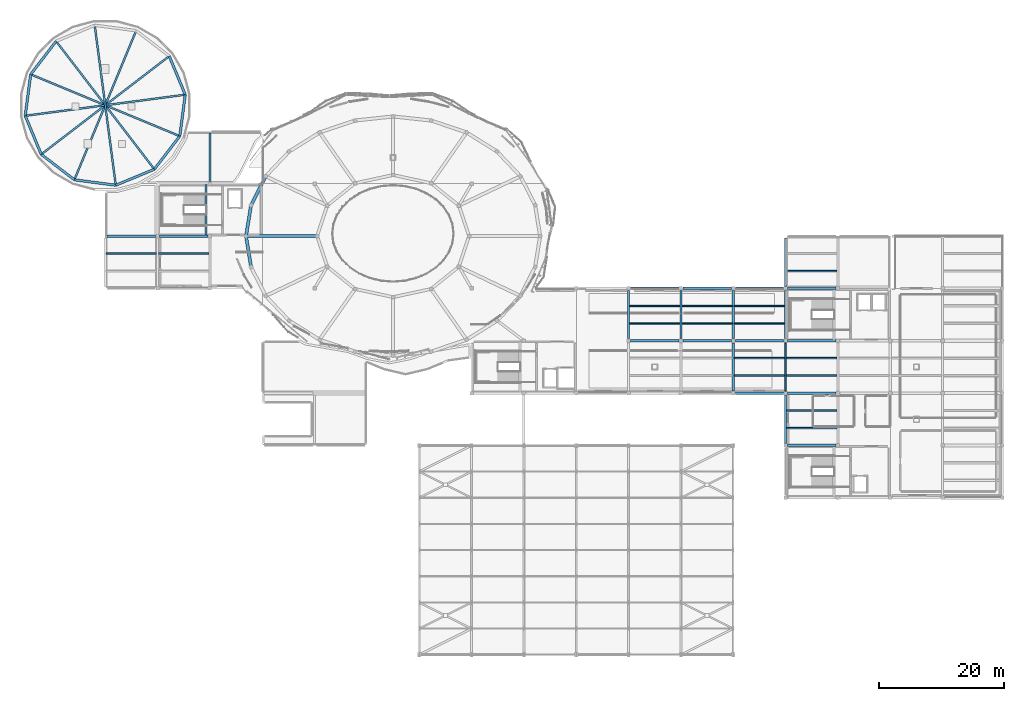
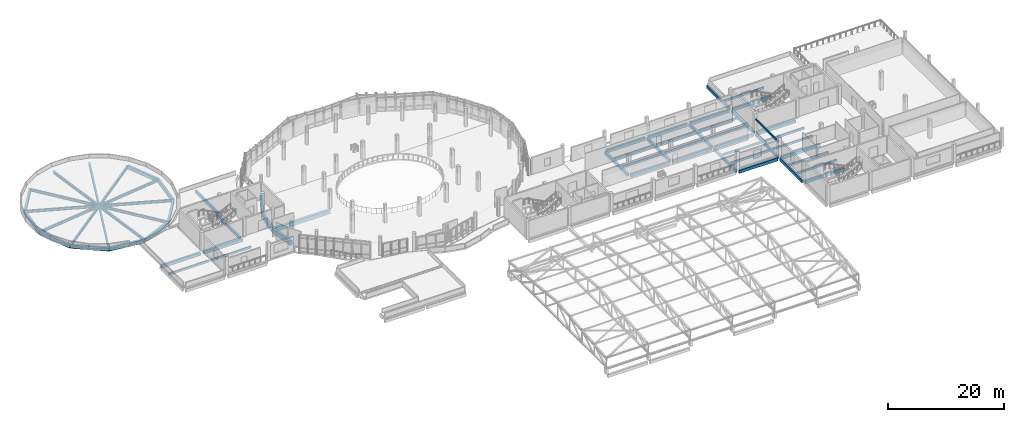
# One storey, part 34 of 74: 58 beams.
"""IFC4 building model written with IfcOpenShell, lengths in metres."""

from ifc_helpers import new_model, si_unit, derived_unit, direction, frame, origin, origin_2d, place, context, subcontext, project, spatial, rectangle, i_section, extrude, material, material_profile, profile_set, type_object, element, save


model = new_model("IFC4")

# Units and contexts
model_context = context("Model", 3, precision=1e-05, world=origin(), true_north=direction((0.0, 1.0)))
body_context = subcontext(model_context, "Body", "Model", "MODEL_VIEW")
ifc_project = project(units=[si_unit("LENGTHUNIT", "METRE"), si_unit("AREAUNIT", "SQUARE_METRE"), si_unit("VOLUMEUNIT", "CUBIC_METRE"), si_unit("PLANEANGLEUNIT", "RADIAN"), si_unit("MASSUNIT", "GRAM", prefix="KILO"), derived_unit("THERMALTRANSMITTANCEUNIT", [(si_unit("POWERUNIT", "WATT"), 1), (si_unit("LENGTHUNIT", "METRE"), -2), (si_unit("THERMODYNAMICTEMPERATUREUNIT", "KELVIN"), -1)])], contexts=[model_context])

# Site, building, storey
site_placement = place(None, origin())
site = spatial("IfcSite", under=ifc_project, at=site_placement, CompositionType="ELEMENT")
building_placement = place(site_placement, origin())
building = spatial("IfcBuilding", under=site, at=building_placement, Name="Elbkamm Science Centre", CompositionType="ELEMENT")
storey_placement = place(building_placement, frame((0.0, 0.0, 14.39990234375)))
storey = spatial("IfcBuildingStorey", under=building, at=storey_placement, Name="L03", CompositionType="ELEMENT", Elevation=14.39990234375)

# Beams
ifc_material_1 = material(Name="Concrete C40/50", Category="concrete")
ifc_material_profile_1 = material_profile(ifc_material_1, rectangle(XDim=0.35009765625, YDim=0.60009765625, at=origin_2d()), Name="RC 350x600")
ifc_profile_set_1 = profile_set([ifc_material_profile_1], Name="Concrete C40/50")
beam_type_1 = type_object("IfcBeamType", Name="BM-RC-350x600", PredefinedType="BEAM", material=ifc_profile_set_1)
for number, where, z_axis, x_axis, name in (
    (1, (100.800048828125, 50.72509765625, -0.579833984375), (0.0, 1.0, 0.0), (-1.0, 0.0, 0.0), "L03 Primary Y-Girder 004"),
    (2, (109.199951171875, 50.72509765625, -0.579833984375), (0.0, 1.0, 0.0), (-1.0, 0.0, 0.0), "L03 Primary Y-Girder 006"),
    (3, (117.60009765625, 42.324951171875, -0.579833984375), (0.0, 1.0, 0.0), (-1.0, 0.0, 0.0), "L03 Primary Y-Girder 007"),
    (4, (117.60009765625, 50.72509765625, -0.579833984375), (0.0, 1.0, 0.0), (-1.0, 0.0, 0.0), "L03 Primary Y-Girder 008"),
    (5, (126.0, 33.925048828125, -0.579833984375), (0.0, 1.0, 0.0), (-1.0, 0.0, 0.0), "L03 Primary Y-Girder 010"),
    (6, (126.0, 42.324951171875, -0.579833984375), (0.0, 1.0, 0.0), (-1.0, 0.0, 0.0), "L03 Primary Y-Girder 011"),
    (7, (126.0, 50.72509765625, -0.579833984375), (0.0, 1.0, 0.0), (-1.0, 0.0, 0.0), "L03 Primary Y-Girder 012"),
):
    element("IfcBeam", number, at=place(storey_placement, frame(where, z_axis=z_axis, x_axis=x_axis)), inside=storey, type_object=beam_type_1, Name=name, PredefinedType="BEAM", context=body_context, shape_type="SweptSolid", body=[
        extrude(rectangle(XDim=0.35009765625, YDim=0.60009765625, at=origin_2d()), origin(), (0.0, 0.0, 1.0), 7.75),
    ])
for number, where, z_axis, x_axis, name in (
    (8, (126.0, 59.125, -0.56982421875), (0.0, 1.0, 0.0), (-1.0, 0.0, 0.0), "L03 Primary Y-Girder 013"),
    (9, (33.60009765625, 75.925048828125, -0.56982421875), (0.0, 1.0, 0.0), (-1.0, 0.0, 0.0), "L03 Step-Back Primary Y-Girder 002"),
):
    element("IfcBeam", number, at=place(storey_placement, frame(where, z_axis=z_axis, x_axis=x_axis)), inside=storey, type_object=beam_type_1, Name=name, PredefinedType="BEAM", context=body_context, shape_type="SweptSolid", body=[
        extrude(rectangle(XDim=0.35009765625, YDim=0.60009765625, at=origin_2d()), origin(), (0.0, 0.0, 1.0), 7.800048828125),
    ])
beam_1_placement = place(storey_placement, frame((32.97998046875, 67.35009765625, -0.2998046875), z_axis=(0.0, 1.0, 0.0), x_axis=(-1.0, 0.0, 0.0)))
element("IfcBeam", 10, at=beam_1_placement, inside=storey, type_object=beam_type_1, Name="L03 ST-C1 Landing Trimmer Beam", PredefinedType="BEAM", context=body_context, shape_type="SweptSolid", body=[
    extrude(rectangle(XDim=0.35009765625, YDim=0.60009765625, at=origin_2d()), origin(), (0.0, 0.0, 1.0), 8.099853515625),
])
ifc_material_profile_2 = material_profile(ifc_material_1, rectangle(XDim=0.39990234375, YDim=0.64990234375, at=origin_2d()), Name="RC 400x650")
ifc_profile_set_2 = profile_set([ifc_material_profile_2], Name="Concrete C40/50")
beam_type_2 = type_object("IfcBeamType", Name="BM-RC-400x650", PredefinedType="BEAM", material=ifc_profile_set_2)
for number, where, z_axis, x_axis, name in (
    (11, (126.324951171875, 33.60009765625, -0.60498046875), (1.0, 0.0, 0.0), (0.0, 1.0, 0.0), "L03 Primary X-Girder 005"),
    (12, (117.925048828125, 42.0, -0.60498046875), (1.0, 0.0, 0.0), (0.0, 1.0, 0.0), "L03 Primary X-Girder 012"),
    (13, (126.324951171875, 42.0, -0.60498046875), (1.0, 0.0, 0.0), (0.0, 1.0, 0.0), "L03 Primary X-Girder 013"),
    (14, (101.125, 50.39990234375, -0.60498046875), (1.0, 0.0, 0.0), (0.0, 1.0, 0.0), "L03 Primary X-Girder 017"),
    (15, (109.52490234375, 50.39990234375, -0.60498046875), (1.0, 0.0, 0.0), (0.0, 1.0, 0.0), "L03 Primary X-Girder 018"),
    (16, (117.925048828125, 50.39990234375, -0.60498046875), (1.0, 0.0, 0.0), (0.0, 1.0, 0.0), "L03 Primary X-Girder 019"),
    (17, (126.324951171875, 50.39990234375, -0.60498046875), (1.0, 0.0, 0.0), (0.0, 1.0, 0.0), "L03 Primary X-Girder 020"),
    (18, (101.125, 58.800048828125, -0.60498046875), (1.0, 0.0, 0.0), (0.0, 1.0, 0.0), "L03 Primary X-Girder 026"),
    (19, (109.52490234375, 58.800048828125, -0.60498046875), (1.0, 0.0, 0.0), (0.0, 1.0, 0.0), "L03 Primary X-Girder 027"),
    (20, (117.925048828125, 58.800048828125, -0.60498046875), (1.0, 0.0, 0.0), (0.0, 1.0, 0.0), "L03 Primary X-Girder 028"),
    (21, (126.324951171875, 58.800048828125, -0.60498046875), (1.0, 0.0, 0.0), (0.0, 1.0, 0.0), "L03 Primary X-Girder 029"),
    (22, (25.52490234375, 67.199951171875, -0.60498046875), (1.0, 0.0, 0.0), (0.0, 1.0, 0.0), "L03 Primary X-Girder 031"),
):
    element("IfcBeam", number, at=place(storey_placement, frame(where, z_axis=z_axis, x_axis=x_axis)), inside=storey, type_object=beam_type_2, Name=name, PredefinedType="BEAM", context=body_context, shape_type="SweptSolid", body=[
        extrude(rectangle(XDim=0.39990234375, YDim=0.64990234375, at=origin_2d()), origin(), (0.0, 0.0, 1.0), 7.75),
    ])
beam_2_placement = place(storey_placement, frame((17.074951171875, 67.199951171875, -0.594970703125), z_axis=(1.0, 0.0, 0.0), x_axis=(0.0, 1.0, 0.0)))
element("IfcBeam", 23, at=beam_2_placement, inside=storey, type_object=beam_type_2, Name="L03 Step-Back Primary X-Girder 005", PredefinedType="BEAM", context=body_context, shape_type="SweptSolid", body=[
    extrude(rectangle(XDim=0.39990234375, YDim=0.64990234375, at=origin_2d()), origin(), (0.0, 0.0, 1.0), 7.800048828125),
])
ifc_material_profile_3 = material_profile(ifc_material_1, rectangle(XDim=0.39990234375, YDim=0.75, at=origin_2d()), Name="RC 400x750")
ifc_profile_set_3 = profile_set([ifc_material_profile_3], Name="Concrete C40/50")
beam_type_3 = type_object("IfcBeamType", Name="BM-RC-400x750", PredefinedType="BEAM", material=ifc_profile_set_3)
beam_3_placement = place(storey_placement, frame((29.638916015625, 89.889892578125, -0.5849609375), z_axis=(-0.382641294893, 0.923896985298, 0.0), x_axis=(-0.923896985298, -0.382641294893, 0.0)))
element("IfcBeam", 24, at=beam_3_placement, inside=storey, type_object=beam_type_3, Name="L03 Planetarium Drum Ring Spandrel 01", PredefinedType="SPANDREL", context=body_context, shape_type="SweptSolid", body=[
    extrude(rectangle(XDim=0.39990234375, YDim=0.75, at=origin_2d()), origin(), (0.0, 0.0, 1.0), 6.703369140625),
])
beam_4_placement = place(storey_placement, frame((8.9169921875, 98.47412109375, -0.5849609375), z_axis=(-0.60879160017, -0.793330188233, 0.0), x_axis=(0.793330188233, -0.60879160017, 0.0)))
element("IfcBeam", 25, at=beam_4_placement, inside=storey, type_object=beam_type_3, Name="L03 Planetarium Drum Ring Spandrel 05", PredefinedType="SPANDREL", context=body_context, shape_type="SweptSolid", body=[
    extrude(rectangle(XDim=0.39990234375, YDim=0.75, at=origin_2d()), origin(), (0.0, 0.0, 1.0), 6.70361328125),
])
for number, where, z_axis, x_axis, name in (
    (26, (4.8359375, 93.156005859375, -0.5849609375), (-0.13053176669, -0.991444127465, 0.0), (0.991444127465, -0.13053176669, 0.0), "L03 Planetarium Drum Ring Spandrel 06"),
    (27, (3.9609375, 86.510009765625, -0.5849609375), (0.382641294893, -0.923896985298, 0.0), (0.923896985298, 0.382641294893, 0.0), "L03 Planetarium Drum Ring Spandrel 07"),
    (28, (6.52587890625, 80.31689453125, -0.5849609375), (0.793347778012, -0.608768677844, 0.0), (0.608768677844, 0.793347778012, 0.0), "L03 Planetarium Drum Ring Spandrel 08"),
    (29, (11.843994140625, 76.236083984375, -0.5849609375), (0.991444127465, -0.13053176669, 0.0), (0.13053176669, 0.991444127465, 0.0), "L03 Planetarium Drum Ring Spandrel 09"),
    (30, (18.489990234375, 75.361083984375, -0.5849609375), (0.923896985298, 0.382641294893, 0.0), (-0.382641294893, 0.923896985298, 0.0), "L03 Planetarium Drum Ring Spandrel 10"),
):
    element("IfcBeam", number, at=place(storey_placement, frame(where, z_axis=z_axis, x_axis=x_axis)), inside=storey, type_object=beam_type_3, Name=name, PredefinedType="SPANDREL", context=body_context, shape_type="SweptSolid", body=[
        extrude(rectangle(XDim=0.39990234375, YDim=0.75, at=origin_2d()), origin(), (0.0, 0.0, 1.0), 6.703369140625),
    ])
beam_5_placement = place(storey_placement, frame((24.68310546875, 77.926025390625, -0.5849609375), z_axis=(0.60878626804, 0.793334280015, 0.0), x_axis=(-0.793334280015, 0.60878626804, 0.0)))
element("IfcBeam", 31, at=beam_5_placement, inside=storey, type_object=beam_type_3, Name="L03 Planetarium Drum Ring Spandrel 11", PredefinedType="SPANDREL", context=body_context, shape_type="SweptSolid", body=[
    extrude(rectangle(XDim=0.39990234375, YDim=0.75, at=origin_2d()), origin(), (0.0, 0.0, 1.0), 6.703125),
])
beam_6_placement = place(storey_placement, frame((28.763916015625, 83.243896484375, -0.5849609375), z_axis=(0.13053176669, 0.991444127465, 0.0), x_axis=(-0.991444127465, 0.13053176669, 0.0)))
element("IfcBeam", 32, at=beam_6_placement, inside=storey, type_object=beam_type_3, Name="L03 Planetarium Drum Ring Spandrel 12", PredefinedType="SPANDREL", context=body_context, shape_type="SweptSolid", body=[
    extrude(rectangle(XDim=0.39990234375, YDim=0.75, at=origin_2d()), origin(), (0.0, 0.0, 1.0), 6.703369140625),
])
ifc_material_profile_4 = material_profile(ifc_material_1, rectangle(XDim=0.5, YDim=0.85009765625, at=origin_2d()), Name="RC 500x850")
ifc_profile_set_4 = profile_set([ifc_material_profile_4], Name="Concrete C40/50")
beam_type_4 = type_object("IfcBeamType", Name="BM-RC-500x850", PredefinedType="BEAM", material=ifc_profile_set_4)
beam_7_placement = place(storey_placement, frame((50.800048828125, 67.199951171875, -0.704833984375), z_axis=(-1.0, 0.0, 0.0), x_axis=(0.0, -1.0, 0.0)))
element("IfcBeam", 33, at=beam_7_placement, inside=storey, type_object=beam_type_4, Name="L03 Elliptical Radial Girder 07", PredefinedType="BEAM", context=body_context, shape_type="SweptSolid", body=[
    extrude(rectangle(XDim=0.5, YDim=0.85009765625, at=origin_2d()), origin(), (0.0, 0.0, 1.0), 11.400146484375),
])
ifc_material_profile_5 = material_profile(ifc_material_1, rectangle(XDim=0.5, YDim=0.949951171875, at=origin_2d()), Name="RC 500x950")
ifc_profile_set_5 = profile_set([ifc_material_profile_5], Name="Concrete C40/50")
beam_type_5 = type_object("IfcBeamType", Name="BM-RC-500x950", PredefinedType="BEAM", material=ifc_profile_set_5)
beam_8_placement = place(storey_placement, frame((42.56201171875, 76.800048828125, -0.7548828125), z_axis=(-0.453722384609, -0.891143084866, 0.0), x_axis=(0.891143084866, -0.453722384609, 0.0)))
element("IfcBeam", 34, at=beam_8_placement, inside=storey, type_object=beam_type_5, Name="L03 Elliptical Shell Perimeter Ring Beam 11", PredefinedType="SPANDREL", context=body_context, shape_type="SweptSolid", body=[
    extrude(rectangle(XDim=0.5, YDim=0.949951171875, at=origin_2d()), origin(), (0.0, 0.0, 1.0), 5.19677734375),
])
for number, where, z_axis, x_axis, name in (
    (35, (40.2041015625, 72.1689453125, -0.7548828125), (-0.15976460627, -0.987155140078, 0.0), (0.987155140078, -0.15976460627, 0.0), "L03 Elliptical Shell Perimeter Ring Beam 12"),
    (36, (39.39990234375, 67.199951171875, -0.7548828125), (0.15976460627, -0.987155140078, 0.0), (0.987155140078, 0.15976460627, 0.0), "L03 Elliptical Shell Perimeter Ring Beam 13"),
):
    element("IfcBeam", number, at=place(storey_placement, frame(where, z_axis=z_axis, x_axis=x_axis)), inside=storey, type_object=beam_type_5, Name=name, PredefinedType="SPANDREL", context=body_context, shape_type="SweptSolid", body=[
        extrude(rectangle(XDim=0.5, YDim=0.949951171875, at=origin_2d()), origin(), (0.0, 0.0, 1.0), 5.03369140625),
    ])
ifc_material_2 = material(Name="Steel EN 10025-2 S355J2", Category="steel")
ifc_material_profile_6 = material_profile(ifc_material_2, i_section(OverallWidth=0.300048828125, OverallDepth=0.550048828125, WebThickness=0.014892578125, FlangeThickness=0.029052734375, FilletRadius=0.027099609375, at=origin_2d()), Name="HEB 550")
ifc_profile_set_6 = profile_set([ifc_material_profile_6], Name="Steel EN 10025-2 S355J2")
beam_type_6 = type_object("IfcBeamType", Name="BM-STL-HEB550", PredefinedType="BEAM", material=ifc_profile_set_6)
beam_9_placement = place(storey_placement, frame((29.638916015625, 89.889892578125, -0.48486328125), z_axis=(-0.991448294662, -0.130500111158, 0.0), x_axis=(0.130500111158, -0.991448294662, 0.0)))
element("IfcBeam", 37, at=beam_9_placement, inside=storey, type_object=beam_type_6, Name="Planetarium Drum Clear-Span Steel Roof Girder 01", PredefinedType="BEAM", context=body_context, shape_type="SweptSolid", body=[
    extrude(i_section(OverallWidth=0.300048828125, OverallDepth=0.550048828125, WebThickness=0.014892578125, FlangeThickness=0.029052734375, FilletRadius=0.027099609375, at=origin_2d()), origin(), (0.0, 0.0, 1.0), 25.8994140625),
])
for number, where, z_axis, x_axis, name in (
    (38, (27.073974609375, 96.0830078125, -0.48486328125), (-0.793371896044, -0.608737245918, 0.0), (0.608737245918, -0.793371896044, 0.0), "Planetarium Drum Clear-Span Steel Roof Girder 02"),
    (39, (21.756103515625, 100.1640625, -0.48486328125), (-0.382710329381, -0.923868390944, 0.0), (0.923868390944, -0.382710329381, 0.0), "Planetarium Drum Clear-Span Steel Roof Girder 03"),
):
    element("IfcBeam", number, at=place(storey_placement, frame(where, z_axis=z_axis, x_axis=x_axis)), inside=storey, type_object=beam_type_6, Name=name, PredefinedType="BEAM", context=body_context, shape_type="SweptSolid", body=[
        extrude(i_section(OverallWidth=0.300048828125, OverallDepth=0.550048828125, WebThickness=0.014892578125, FlangeThickness=0.029052734375, FilletRadius=0.027099609375, at=origin_2d()), origin(), (0.0, 0.0, 1.0), 25.899658203125),
    ])
beam_10_placement = place(storey_placement, frame((15.110107421875, 101.0390625, -0.48486328125), z_axis=(0.130500111158, -0.991448294662, 0.0), x_axis=(0.991448294662, 0.130500111158, 0.0)))
element("IfcBeam", 40, at=beam_10_placement, inside=storey, type_object=beam_type_6, Name="Planetarium Drum Clear-Span Steel Roof Girder 04", PredefinedType="BEAM", context=body_context, shape_type="SweptSolid", body=[
    extrude(i_section(OverallWidth=0.300048828125, OverallDepth=0.550048828125, WebThickness=0.014892578125, FlangeThickness=0.029052734375, FilletRadius=0.027099609375, at=origin_2d()), origin(), (0.0, 0.0, 1.0), 25.8994140625),
])
for number, where, z_axis, x_axis, name in (
    (41, (8.9169921875, 98.47412109375, -0.48486328125), (0.608737245918, -0.793371896044, 0.0), (0.793371896044, 0.608737245918, 0.0), "Planetarium Drum Clear-Span Steel Roof Girder 05"),
    (42, (4.8359375, 93.156005859375, -0.48486328125), (0.923868390944, -0.382710329381, 0.0), (0.382710329381, 0.923868390944, 0.0), "Planetarium Drum Clear-Span Steel Roof Girder 06"),
):
    element("IfcBeam", number, at=place(storey_placement, frame(where, z_axis=z_axis, x_axis=x_axis)), inside=storey, type_object=beam_type_6, Name=name, PredefinedType="BEAM", context=body_context, shape_type="SweptSolid", body=[
        extrude(i_section(OverallWidth=0.300048828125, OverallDepth=0.550048828125, WebThickness=0.014892578125, FlangeThickness=0.029052734375, FilletRadius=0.027099609375, at=origin_2d()), origin(), (0.0, 0.0, 1.0), 25.899658203125),
    ])
ifc_material_profile_7 = material_profile(ifc_material_1, rectangle(XDim=0.25, YDim=0.449951171875, at=origin_2d()), Name="RC 250x450")
ifc_profile_set_7 = profile_set([ifc_material_profile_7], Name="Concrete C40/50")
beam_type_7 = type_object("IfcBeamType", Name="JST-RC-250x450", PredefinedType="JOIST", material=ifc_profile_set_7)
for number, where, z_axis, x_axis, name in (
    (43, (25.3798828125, 64.39990234375, -0.5048828125), (1.0, 0.0, 0.0), (0.0, 1.0, 0.0), "L03 Secondary Floor Joist 002"),
    (44, (100.97998046875, 53.199951171875, -0.5048828125), (1.0, 0.0, 0.0), (0.0, 1.0, 0.0), "L03 Secondary Floor Joist 005"),
    (45, (100.97998046875, 56.0, -0.5048828125), (1.0, 0.0, 0.0), (0.0, 1.0, 0.0), "L03 Secondary Floor Joist 006"),
    (46, (109.3798828125, 53.199951171875, -0.5048828125), (1.0, 0.0, 0.0), (0.0, 1.0, 0.0), "L03 Secondary Floor Joist 009"),
    (47, (109.3798828125, 56.0, -0.5048828125), (1.0, 0.0, 0.0), (0.0, 1.0, 0.0), "L03 Secondary Floor Joist 010"),
    (48, (117.780029296875, 44.800048828125, -0.5048828125), (1.0, 0.0, 0.0), (0.0, 1.0, 0.0), "L03 Secondary Floor Joist 011"),
    (49, (117.780029296875, 47.60009765625, -0.5048828125), (1.0, 0.0, 0.0), (0.0, 1.0, 0.0), "L03 Secondary Floor Joist 012"),
    (50, (117.780029296875, 53.199951171875, -0.5048828125), (1.0, 0.0, 0.0), (0.0, 1.0, 0.0), "L03 Secondary Floor Joist 013"),
    (51, (117.780029296875, 56.0, -0.5048828125), (1.0, 0.0, 0.0), (0.0, 1.0, 0.0), "L03 Secondary Floor Joist 014"),
    (52, (126.179931640625, 36.39990234375, -0.5048828125), (1.0, 0.0, 0.0), (0.0, 1.0, 0.0), "L03 Secondary Floor Joist 015"),
    (53, (126.179931640625, 39.199951171875, -0.5048828125), (1.0, 0.0, 0.0), (0.0, 1.0, 0.0), "L03 Secondary Floor Joist 016"),
    (54, (126.179931640625, 44.800048828125, -0.5048828125), (1.0, 0.0, 0.0), (0.0, 1.0, 0.0), "L03 Secondary Floor Joist 017"),
    (55, (126.179931640625, 47.60009765625, -0.5048828125), (1.0, 0.0, 0.0), (0.0, 1.0, 0.0), "L03 Secondary Floor Joist 018"),
    (56, (16.97998046875, 64.39990234375, -0.494873046875), (1.0, 0.0, 0.0), (0.0, 1.0, 0.0), "L03 Step-Back Secondary Floor Joist 002"),
    (57, (126.179931640625, 61.60009765625, -0.494873046875), (1.0, 0.0, 0.0), (0.0, 1.0, 0.0), "L03 Step-Back Secondary Floor Joist 003"),
):
    element("IfcBeam", number, at=place(storey_placement, frame(where, z_axis=z_axis, x_axis=x_axis)), inside=storey, type_object=beam_type_7, Name=name, PredefinedType="JOIST", context=body_context, shape_type="SweptSolid", body=[
        extrude(rectangle(XDim=0.25, YDim=0.449951171875, at=origin_2d()), origin(), (0.0, 0.0, 1.0), 8.0400390625),
    ])
ifc_material_profile_8 = material_profile(ifc_material_1, rectangle(XDim=0.199951171875, YDim=0.300048828125, at=origin_2d()), Name="RC 200x300")
ifc_profile_set_8 = profile_set([ifc_material_profile_8], Name="Concrete C40/50")
beam_type_8 = type_object("IfcBeamType", Name="LIN-RC-200x300", PredefinedType="LINTEL", material=ifc_profile_set_8)
beam_11_placement = place(storey_placement, frame((126.0, 42.25, 2.7001953125), z_axis=(0.0, 1.0, 0.0), x_axis=(-1.0, 0.0, 0.0)))
element("IfcBeam", 58, at=beam_11_placement, inside=storey, type_object=beam_type_8, Name="L03 Opening Lintel 08", PredefinedType="LINTEL", context=body_context, shape_type="SweptSolid", body=[
    extrude(rectangle(XDim=0.199951171875, YDim=0.300048828125, at=origin_2d()), origin(), (0.0, 0.0, 1.0), 7.89990234375),
])

save(model, "model.ifc")
